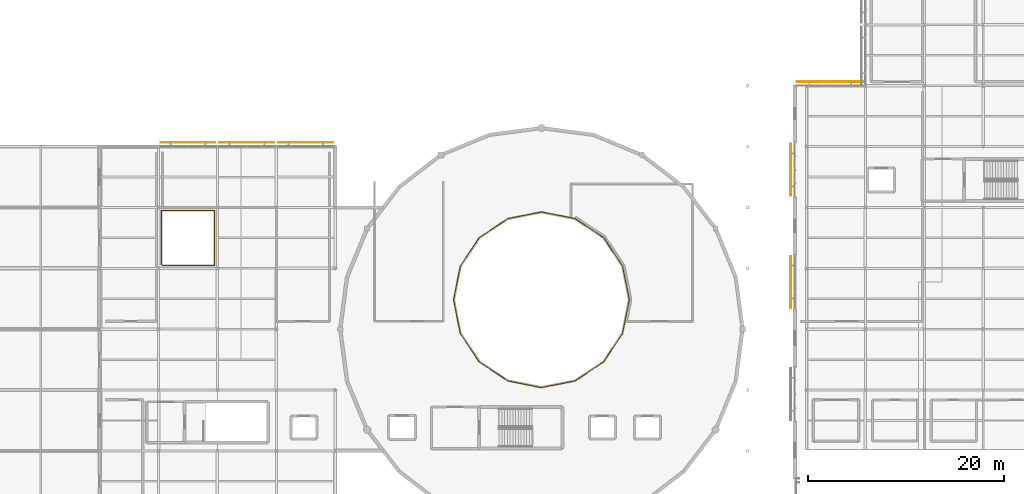
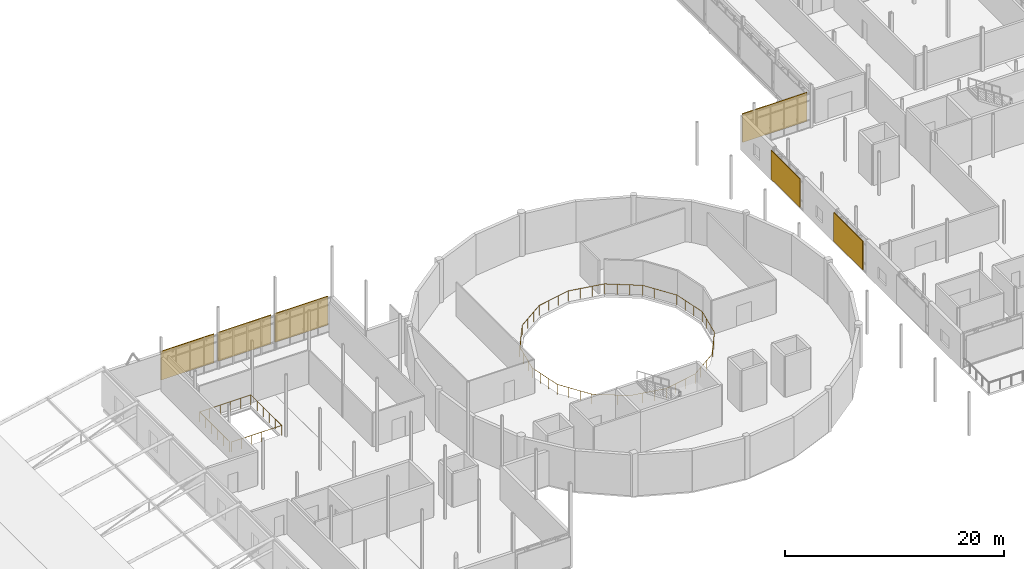
# One storey, part 61 of 66: 6 shading devices, 2 railings.
"""IFC4 building model written with IfcOpenShell, lengths in metres."""

from ifc_helpers import new_model, si_unit, direction, frame, origin, origin_2d, place, context, subcontext, project, spatial, rectangle, circle, extrude, material, layer, layer_set, type_object, element, save


model = new_model("IFC4")

# Units and contexts
model_context = context("Model", 3, precision=1e-05, world=origin(), true_north=direction((0.0, 1.0)))
body_context = subcontext(model_context, "Body", "Model", "MODEL_VIEW")
ifc_project = project(units=[si_unit("LENGTHUNIT", "METRE"), si_unit("AREAUNIT", "SQUARE_METRE"), si_unit("VOLUMEUNIT", "CUBIC_METRE"), si_unit("PLANEANGLEUNIT", "RADIAN"), si_unit("MASSUNIT", "GRAM", prefix="KILO")], contexts=[model_context])

# Site, building, storey
site_placement = place(None, origin())
site = spatial("IfcSite", under=ifc_project, at=site_placement, CompositionType="ELEMENT")
building_placement = place(site_placement, origin())
building = spatial("IfcBuilding", under=site, at=building_placement, Name="Mirzam Square Science Centre", CompositionType="ELEMENT")
storey_placement = place(building_placement, frame((0.0, 0.0, 15.60009765625)))
storey = spatial("IfcBuildingStorey", under=building, at=storey_placement, Name="L03", CompositionType="ELEMENT", Elevation=15.60009765625)

# Railings
ifc_material_1 = material(Name="Bronze-Anodised Architectural Balustrade", Category="aluminium")
railing_type = type_object("IfcRailingType", Name="RL-INT-GUARD-1100", PredefinedType="GUARDRAIL", material=ifc_material_1)
railing_1_placement = place(storey_placement, frame((42.300048828125, 68.580078125, 0.0)))
element("IfcRailing", 1, at=railing_1_placement, inside=storey, type_object=railing_type, Name="L03 wdg-void edge guard", PredefinedType="GUARDRAIL", context=body_context, shape_type="SweptSolid", body=[
    extrude(circle(Radius=0.02392578125, at=origin_2d()), frame((0.0, 0.0, 1.09619140625), z_axis=(0.0, 1.0, 0.0), x_axis=(-1.0, 0.0, 0.0)), (0.0, 0.0, 1.0), 5.52001953125),
    extrude(circle(Radius=0.02392578125, at=origin_2d()), frame((0.0, 5.52001953125, 1.09619140625), z_axis=(1.0, 0.0, 0.0), x_axis=(0.0, 1.0, 0.0)), (0.0, 0.0, 1.0), 5.39990234375),
    extrude(circle(Radius=0.02392578125, at=origin_2d()), frame((5.39990234375, 5.52001953125, 1.09619140625), z_axis=(0.0, -1.0, 0.0), x_axis=(1.0, 0.0, 0.0)), (0.0, 0.0, 1.0), 5.60009765625),
    extrude(circle(Radius=0.02392578125, at=origin_2d()), frame((5.39990234375, -0.080078125, 1.09619140625), z_axis=(-1.0, 0.0, 0.0), x_axis=(0.0, -1.0, 0.0)), (0.0, 0.0, 1.0), 5.320068359375),
    extrude(circle(Radius=0.02099609375, at=origin_2d()), origin(), (0.0, 0.0, 1.0), 1.072021484375),
    extrude(circle(Radius=0.02099609375, at=origin_2d()), frame((0.0, 1.10400390625, 0.0)), (0.0, 0.0, 1.0), 1.072021484375),
    extrude(circle(Radius=0.02099609375, at=origin_2d()), frame((0.0, 2.2080078125, 0.0)), (0.0, 0.0, 1.0), 1.072021484375),
    extrude(circle(Radius=0.02099609375, at=origin_2d()), frame((0.0, 3.31201171875, 0.0)), (0.0, 0.0, 1.0), 1.072021484375),
    extrude(circle(Radius=0.02099609375, at=origin_2d()), frame((0.0, 4.416015625, 0.0)), (0.0, 0.0, 1.0), 1.072021484375),
    extrude(circle(Radius=0.02099609375, at=origin_2d()), frame((0.0, 5.52001953125, 0.0)), (0.0, 0.0, 1.0), 1.072021484375),
    extrude(circle(Radius=0.02099609375, at=origin_2d()), frame((1.080078125, 5.52001953125, 0.0)), (0.0, 0.0, 1.0), 1.072021484375),
    extrude(circle(Radius=0.02099609375, at=origin_2d()), frame((2.159912109375, 5.52001953125, 0.0)), (0.0, 0.0, 1.0), 1.072021484375),
    extrude(circle(Radius=0.02099609375, at=origin_2d()), frame((3.239990234375, 5.52001953125, 0.0)), (0.0, 0.0, 1.0), 1.072021484375),
    extrude(circle(Radius=0.02099609375, at=origin_2d()), frame((4.31982421875, 5.52001953125, 0.0)), (0.0, 0.0, 1.0), 1.072021484375),
    extrude(circle(Radius=0.02099609375, at=origin_2d()), frame((5.39990234375, 5.52001953125, 0.0)), (0.0, 0.0, 1.0), 1.072021484375),
    extrude(circle(Radius=0.02099609375, at=origin_2d()), frame((5.39990234375, 4.39990234375, 0.0)), (0.0, 0.0, 1.0), 1.072021484375),
    extrude(circle(Radius=0.02099609375, at=origin_2d()), frame((5.39990234375, 3.280029296875, 0.0)), (0.0, 0.0, 1.0), 1.072021484375),
    extrude(circle(Radius=0.02099609375, at=origin_2d()), frame((5.39990234375, 2.159912109375, 0.0)), (0.0, 0.0, 1.0), 1.072021484375),
    extrude(circle(Radius=0.02099609375, at=origin_2d()), frame((5.39990234375, 1.0400390625, 0.0)), (0.0, 0.0, 1.0), 1.072021484375),
    extrude(circle(Radius=0.02099609375, at=origin_2d()), frame((5.39990234375, -0.080078125, 0.0)), (0.0, 0.0, 1.0), 1.072021484375),
    extrude(circle(Radius=0.02099609375, at=origin_2d()), frame((4.3359375, -0.080078125, 0.0)), (0.0, 0.0, 1.0), 1.072021484375),
    extrude(circle(Radius=0.02099609375, at=origin_2d()), frame((3.27197265625, -0.080078125, 0.0)), (0.0, 0.0, 1.0), 1.072021484375),
    extrude(circle(Radius=0.02099609375, at=origin_2d()), frame((2.207763671875, -0.080078125, 0.0)), (0.0, 0.0, 1.0), 1.072021484375),
    extrude(circle(Radius=0.02099609375, at=origin_2d()), frame((1.143798828125, -0.080078125, 0.0)), (0.0, 0.0, 1.0), 1.072021484375),
    extrude(circle(Radius=0.02099609375, at=origin_2d()), frame((0.079833984375, -0.080078125, 0.0)), (0.0, 0.0, 1.0), 1.072021484375),
])
railing_2_placement = place(storey_placement, frame((89.949951171875, 65.0, 0.0)))
element("IfcRailing", 2, at=railing_2_placement, inside=storey, type_object=railing_type, Name="L03 rotunda oculus guard", PredefinedType="GUARDRAIL", context=body_context, shape_type="SweptSolid", body=[
    extrude(circle(Radius=0.02392578125, at=origin_2d()), frame((0.0, 0.0, 1.09619140625), z_axis=(-0.195053898644, 0.980792524759, 0.0), x_axis=(-0.980792524759, -0.195053898644, 0.0)), (0.0, 0.0, 1.0), 3.4921875),
    extrude(circle(Radius=0.02392578125, at=origin_2d()), frame((-0.68115234375, 3.425048828125, 1.09619140625), z_axis=(-0.555587219906, 0.831458261777, 0.0), x_axis=(-0.831458261777, -0.555587219906, 0.0)), (0.0, 0.0, 1.0), 3.4921875),
    extrude(circle(Radius=0.02392578125, at=origin_2d()), frame((-2.621337890625, 6.32861328125, 1.09619140625), z_axis=(-0.831458261777, 0.555587219906, 0.0), x_axis=(-0.555587219906, -0.831458261777, 0.0)), (0.0, 0.0, 1.0), 3.4921875),
    extrude(circle(Radius=0.02392578125, at=origin_2d()), frame((-5.52490234375, 8.268798828125, 1.09619140625), z_axis=(-0.980792524759, 0.195053898644, 0.0), x_axis=(-0.195053898644, -0.980792524759, 0.0)), (0.0, 0.0, 1.0), 3.4921875),
    extrude(circle(Radius=0.02392578125, at=origin_2d()), frame((-8.949951171875, 8.949951171875, 1.09619140625), z_axis=(-0.980792524759, -0.195053898644, 0.0), x_axis=(0.195053898644, -0.980792524759, 0.0)), (0.0, 0.0, 1.0), 3.4921875),
    extrude(circle(Radius=0.02392578125, at=origin_2d()), frame((-12.375, 8.268798828125, 1.09619140625), z_axis=(-0.831458261777, -0.555587219906, 0.0), x_axis=(0.555587219906, -0.831458261777, 0.0)), (0.0, 0.0, 1.0), 3.4921875),
    extrude(circle(Radius=0.02392578125, at=origin_2d()), frame((-15.278564453125, 6.32861328125, 1.09619140625), z_axis=(-0.555587219906, -0.831458261777, 0.0), x_axis=(0.831458261777, -0.555587219906, 0.0)), (0.0, 0.0, 1.0), 3.4921875),
    extrude(circle(Radius=0.02392578125, at=origin_2d()), frame((-17.21875, 3.425048828125, 1.09619140625), z_axis=(-0.195053898644, -0.980792524759, 0.0), x_axis=(0.980792524759, -0.195053898644, 0.0)), (0.0, 0.0, 1.0), 3.4921875),
    extrude(circle(Radius=0.02392578125, at=origin_2d()), frame((-17.89990234375, 0.0, 1.09619140625), z_axis=(0.195053898644, -0.980792524759, 0.0), x_axis=(0.980792524759, 0.195053898644, 0.0)), (0.0, 0.0, 1.0), 3.4921875),
    extrude(circle(Radius=0.02392578125, at=origin_2d()), frame((-17.21875, -3.425048828125, 1.09619140625), z_axis=(0.555587219906, -0.831458261777, 0.0), x_axis=(0.831458261777, 0.555587219906, 0.0)), (0.0, 0.0, 1.0), 3.4921875),
    extrude(circle(Radius=0.02392578125, at=origin_2d()), frame((-15.278564453125, -6.32861328125, 1.09619140625), z_axis=(0.831458261777, -0.555587219906, 0.0), x_axis=(0.555587219906, 0.831458261777, 0.0)), (0.0, 0.0, 1.0), 3.4921875),
    extrude(circle(Radius=0.02392578125, at=origin_2d()), frame((-12.375, -8.268798828125, 1.09619140625), z_axis=(0.980792524759, -0.195053898644, 0.0), x_axis=(0.195053898644, 0.980792524759, 0.0)), (0.0, 0.0, 1.0), 3.4921875),
    extrude(circle(Radius=0.02392578125, at=origin_2d()), frame((-8.949951171875, -8.949951171875, 1.09619140625), z_axis=(0.980792524759, 0.195053898644, 0.0), x_axis=(-0.195053898644, 0.980792524759, 0.0)), (0.0, 0.0, 1.0), 3.4921875),
    extrude(circle(Radius=0.02392578125, at=origin_2d()), frame((-5.52490234375, -8.268798828125, 1.09619140625), z_axis=(0.831458261777, 0.555587219906, 0.0), x_axis=(-0.555587219906, 0.831458261777, 0.0)), (0.0, 0.0, 1.0), 3.4921875),
    extrude(circle(Radius=0.02392578125, at=origin_2d()), frame((-2.621337890625, -6.32861328125, 1.09619140625), z_axis=(0.555587219906, 0.831458261777, 0.0), x_axis=(-0.831458261777, 0.555587219906, 0.0)), (0.0, 0.0, 1.0), 3.4921875),
    extrude(circle(Radius=0.02392578125, at=origin_2d()), frame((-0.68115234375, -3.425048828125, 1.09619140625), z_axis=(0.195045905488, 0.980794114355, 0.0), x_axis=(-0.980794114355, 0.195045905488, 0.0)), (0.0, 0.0, 1.0), 3.422119140625),
    extrude(circle(Radius=0.02099609375, at=origin_2d()), origin(), (0.0, 0.0, 1.0), 1.072021484375),
    extrude(circle(Radius=0.02099609375, at=origin_2d()), frame((-0.22705078125, 1.1416015625, 0.0)), (0.0, 0.0, 1.0), 1.072021484375),
    extrude(circle(Radius=0.02099609375, at=origin_2d()), frame((-0.4541015625, 2.283447265625, 0.0)), (0.0, 0.0, 1.0), 1.072021484375),
    extrude(circle(Radius=0.02099609375, at=origin_2d()), frame((-0.68115234375, 3.425048828125, 0.0)), (0.0, 0.0, 1.0), 1.072021484375),
    extrude(circle(Radius=0.02099609375, at=origin_2d()), frame((-1.327880859375, 4.392822265625, 0.0)), (0.0, 0.0, 1.0), 1.072021484375),
    extrude(circle(Radius=0.02099609375, at=origin_2d()), frame((-1.974609375, 5.36083984375, 0.0)), (0.0, 0.0, 1.0), 1.072021484375),
    extrude(circle(Radius=0.02099609375, at=origin_2d()), frame((-2.621337890625, 6.32861328125, 0.0)), (0.0, 0.0, 1.0), 1.072021484375),
    extrude(circle(Radius=0.02099609375, at=origin_2d()), frame((-3.589111328125, 6.975341796875, 0.0)), (0.0, 0.0, 1.0), 1.072021484375),
    extrude(circle(Radius=0.02099609375, at=origin_2d()), frame((-4.55712890625, 7.6220703125, 0.0)), (0.0, 0.0, 1.0), 1.072021484375),
    extrude(circle(Radius=0.02099609375, at=origin_2d()), frame((-5.52490234375, 8.268798828125, 0.0)), (0.0, 0.0, 1.0), 1.072021484375),
    extrude(circle(Radius=0.02099609375, at=origin_2d()), frame((-6.66650390625, 8.495849609375, 0.0)), (0.0, 0.0, 1.0), 1.072021484375),
    extrude(circle(Radius=0.02099609375, at=origin_2d()), frame((-7.808349609375, 8.722900390625, 0.0)), (0.0, 0.0, 1.0), 1.072021484375),
    extrude(circle(Radius=0.02099609375, at=origin_2d()), frame((-8.949951171875, 8.949951171875, 0.0)), (0.0, 0.0, 1.0), 1.072021484375),
    extrude(circle(Radius=0.02099609375, at=origin_2d()), frame((-10.091552734375, 8.722900390625, 0.0)), (0.0, 0.0, 1.0), 1.072021484375),
    extrude(circle(Radius=0.02099609375, at=origin_2d()), frame((-11.2333984375, 8.495849609375, 0.0)), (0.0, 0.0, 1.0), 1.072021484375),
    extrude(circle(Radius=0.02099609375, at=origin_2d()), frame((-12.375, 8.268798828125, 0.0)), (0.0, 0.0, 1.0), 1.072021484375),
    extrude(circle(Radius=0.02099609375, at=origin_2d()), frame((-13.3427734375, 7.6220703125, 0.0)), (0.0, 0.0, 1.0), 1.072021484375),
    extrude(circle(Radius=0.02099609375, at=origin_2d()), frame((-14.310791015625, 6.975341796875, 0.0)), (0.0, 0.0, 1.0), 1.072021484375),
    extrude(circle(Radius=0.02099609375, at=origin_2d()), frame((-15.278564453125, 6.32861328125, 0.0)), (0.0, 0.0, 1.0), 1.072021484375),
    extrude(circle(Radius=0.02099609375, at=origin_2d()), frame((-15.92529296875, 5.36083984375, 0.0)), (0.0, 0.0, 1.0), 1.072021484375),
    extrude(circle(Radius=0.02099609375, at=origin_2d()), frame((-16.572021484375, 4.392822265625, 0.0)), (0.0, 0.0, 1.0), 1.072021484375),
    extrude(circle(Radius=0.02099609375, at=origin_2d()), frame((-17.21875, 3.425048828125, 0.0)), (0.0, 0.0, 1.0), 1.072021484375),
    extrude(circle(Radius=0.02099609375, at=origin_2d()), frame((-17.44580078125, 2.283447265625, 0.0)), (0.0, 0.0, 1.0), 1.072021484375),
    extrude(circle(Radius=0.02099609375, at=origin_2d()), frame((-17.6728515625, 1.1416015625, 0.0)), (0.0, 0.0, 1.0), 1.072021484375),
    extrude(circle(Radius=0.02099609375, at=origin_2d()), frame((-17.89990234375, 0.0, 0.0)), (0.0, 0.0, 1.0), 1.072021484375),
    extrude(circle(Radius=0.02099609375, at=origin_2d()), frame((-17.6728515625, -1.1416015625, 0.0)), (0.0, 0.0, 1.0), 1.072021484375),
    extrude(circle(Radius=0.02099609375, at=origin_2d()), frame((-17.44580078125, -2.283447265625, 0.0)), (0.0, 0.0, 1.0), 1.072021484375),
    extrude(circle(Radius=0.02099609375, at=origin_2d()), frame((-17.21875, -3.425048828125, 0.0)), (0.0, 0.0, 1.0), 1.072021484375),
    extrude(circle(Radius=0.02099609375, at=origin_2d()), frame((-16.572021484375, -4.392822265625, 0.0)), (0.0, 0.0, 1.0), 1.072021484375),
    extrude(circle(Radius=0.02099609375, at=origin_2d()), frame((-15.92529296875, -5.36083984375, 0.0)), (0.0, 0.0, 1.0), 1.072021484375),
    extrude(circle(Radius=0.02099609375, at=origin_2d()), frame((-15.278564453125, -6.32861328125, 0.0)), (0.0, 0.0, 1.0), 1.072021484375),
    extrude(circle(Radius=0.02099609375, at=origin_2d()), frame((-14.310791015625, -6.975341796875, 0.0)), (0.0, 0.0, 1.0), 1.072021484375),
    extrude(circle(Radius=0.02099609375, at=origin_2d()), frame((-13.3427734375, -7.6220703125, 0.0)), (0.0, 0.0, 1.0), 1.072021484375),
    extrude(circle(Radius=0.02099609375, at=origin_2d()), frame((-12.375, -8.268798828125, 0.0)), (0.0, 0.0, 1.0), 1.072021484375),
    extrude(circle(Radius=0.02099609375, at=origin_2d()), frame((-11.2333984375, -8.495849609375, 0.0)), (0.0, 0.0, 1.0), 1.072021484375),
    extrude(circle(Radius=0.02099609375, at=origin_2d()), frame((-10.091552734375, -8.722900390625, 0.0)), (0.0, 0.0, 1.0), 1.072021484375),
    extrude(circle(Radius=0.02099609375, at=origin_2d()), frame((-8.949951171875, -8.949951171875, 0.0)), (0.0, 0.0, 1.0), 1.072021484375),
    extrude(circle(Radius=0.02099609375, at=origin_2d()), frame((-7.808349609375, -8.722900390625, 0.0)), (0.0, 0.0, 1.0), 1.072021484375),
    extrude(circle(Radius=0.02099609375, at=origin_2d()), frame((-6.66650390625, -8.495849609375, 0.0)), (0.0, 0.0, 1.0), 1.072021484375),
    extrude(circle(Radius=0.02099609375, at=origin_2d()), frame((-5.52490234375, -8.268798828125, 0.0)), (0.0, 0.0, 1.0), 1.072021484375),
    extrude(circle(Radius=0.02099609375, at=origin_2d()), frame((-4.55712890625, -7.6220703125, 0.0)), (0.0, 0.0, 1.0), 1.072021484375),
    extrude(circle(Radius=0.02099609375, at=origin_2d()), frame((-3.589111328125, -6.975341796875, 0.0)), (0.0, 0.0, 1.0), 1.072021484375),
    extrude(circle(Radius=0.02099609375, at=origin_2d()), frame((-2.621337890625, -6.32861328125, 0.0)), (0.0, 0.0, 1.0), 1.072021484375),
    extrude(circle(Radius=0.02099609375, at=origin_2d()), frame((-1.974609375, -5.36083984375, 0.0)), (0.0, 0.0, 1.0), 1.072021484375),
    extrude(circle(Radius=0.02099609375, at=origin_2d()), frame((-1.327880859375, -4.392822265625, 0.0)), (0.0, 0.0, 1.0), 1.072021484375),
    extrude(circle(Radius=0.02099609375, at=origin_2d()), frame((-0.68115234375, -3.425048828125, 0.0)), (0.0, 0.0, 1.0), 1.072021484375),
    extrude(circle(Radius=0.02099609375, at=origin_2d()), frame((-0.458740234375, -2.30615234375, 0.0)), (0.0, 0.0, 1.0), 1.072021484375),
    extrude(circle(Radius=0.02099609375, at=origin_2d()), frame((-0.236083984375, -1.1875, 0.0)), (0.0, 0.0, 1.0), 1.072021484375),
    extrude(circle(Radius=0.02099609375, at=origin_2d()), frame((-0.013671875, -0.068603515625, 0.0)), (0.0, 0.0, 1.0), 1.072021484375),
])

# Shading devices
ifc_material_2 = material(Name="Perforated Bronze-Anodised Aluminium Brise-Soleil", Category="aluminium")
ifc_layer = layer(ifc_material_2, 0.080078125)
ifc_layer_set = layer_set([ifc_layer], Name="SHD-BRISE-BRONZE")
shading_device_type = type_object("IfcShadingDeviceType", Name="SHD-BRISE-BRONZE", PredefinedType="JALOUSIE", material=ifc_layer_set)
for number, where, z_axis, x_axis, name in (
    (3, (45.0, 81.010009765625, 0.48974609375), (0.0, 0.0, 1.0), (-1.0, 0.0, 0.0), "L03 bronze brise-soleil screen 29"),
    (4, (51.0, 81.010009765625, 0.48974609375), (0.0, 0.0, 1.0), (-1.0, 0.0, 0.0), "L03 bronze brise-soleil screen 30"),
    (5, (57.0, 81.010009765625, 0.48974609375), (0.0, 0.0, 1.0), (-1.0, 0.0, 0.0), "L03 bronze brise-soleil screen 31"),
):
    element("IfcShadingDevice", number, at=place(storey_placement, frame(where, z_axis=z_axis, x_axis=x_axis)), inside=storey, type_object=shading_device_type, Name=name, PredefinedType="JALOUSIE", context=body_context, shape_type="SweptSolid", body=[
        extrude(rectangle(XDim=5.590087890625, YDim=0.080078125, at=origin_2d()), origin(), (0.0, 0.0, 1.0), 3.199951171875),
    ])
shading_device_placement = place(storey_placement, frame((110.39990234375, 87.2099609375, 0.48974609375), z_axis=(0.0, 0.0, 1.0), x_axis=(-1.0, 0.0, 0.0)))
element("IfcShadingDevice", 6, at=shading_device_placement, inside=storey, type_object=shading_device_type, Name="L03 bronze brise-soleil screen 122", PredefinedType="JALOUSIE", context=body_context, shape_type="SweptSolid", body=[
    extrude(rectangle(XDim=6.7900390625, YDim=0.080078125, at=origin_2d()), origin(), (0.0, 0.0, 1.0), 3.199951171875),
])
for number, where, z_axis, x_axis, name in (
    (7, (106.389892578125, 78.228515625, 0.48974609375), (0.0, 0.0, 1.0), (0.0, -1.0, 0.0), "L03 bronze brise-soleil screen 123"),
    (8, (106.389892578125, 66.800048828125, 0.48974609375), (0.0, 0.0, 1.0), (0.0, -1.0, 0.0), "L03 bronze brise-soleil screen 124"),
):
    element("IfcShadingDevice", number, at=place(storey_placement, frame(where, z_axis=z_axis, x_axis=x_axis)), inside=storey, type_object=shading_device_type, Name=name, PredefinedType="JALOUSIE", context=body_context, shape_type="SweptSolid", body=[
        extrude(rectangle(XDim=5.30419921875, YDim=0.080078125, at=origin_2d()), origin(), (0.0, 0.0, 1.0), 3.199951171875),
    ])

save(model, "model.ifc")
